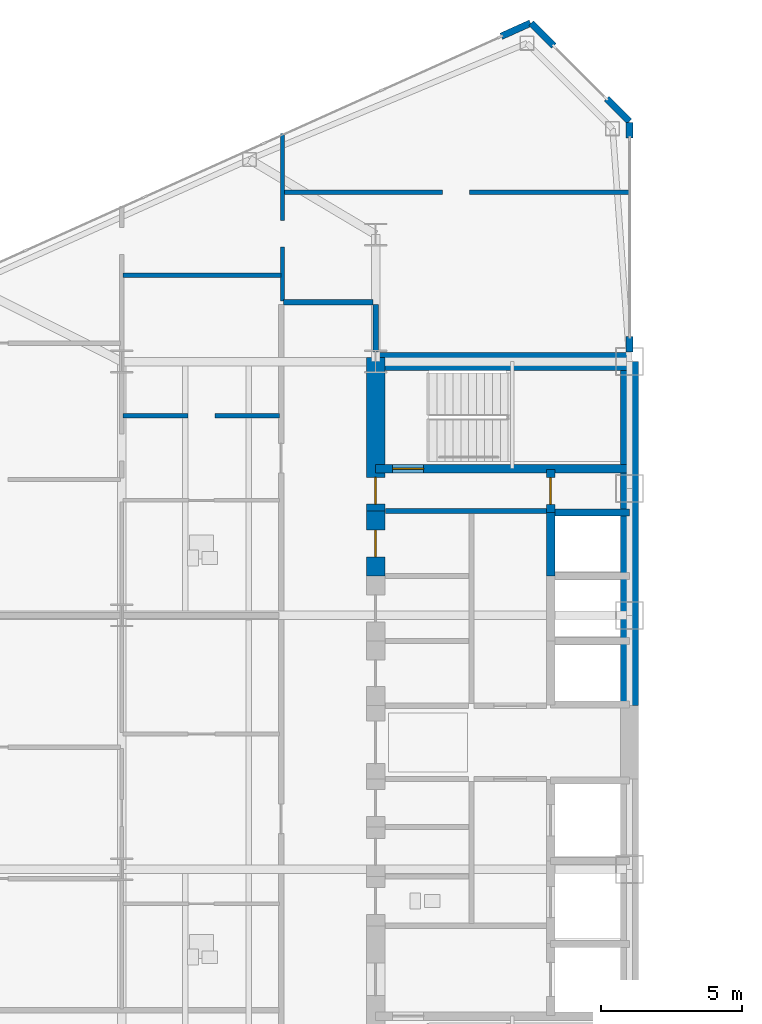
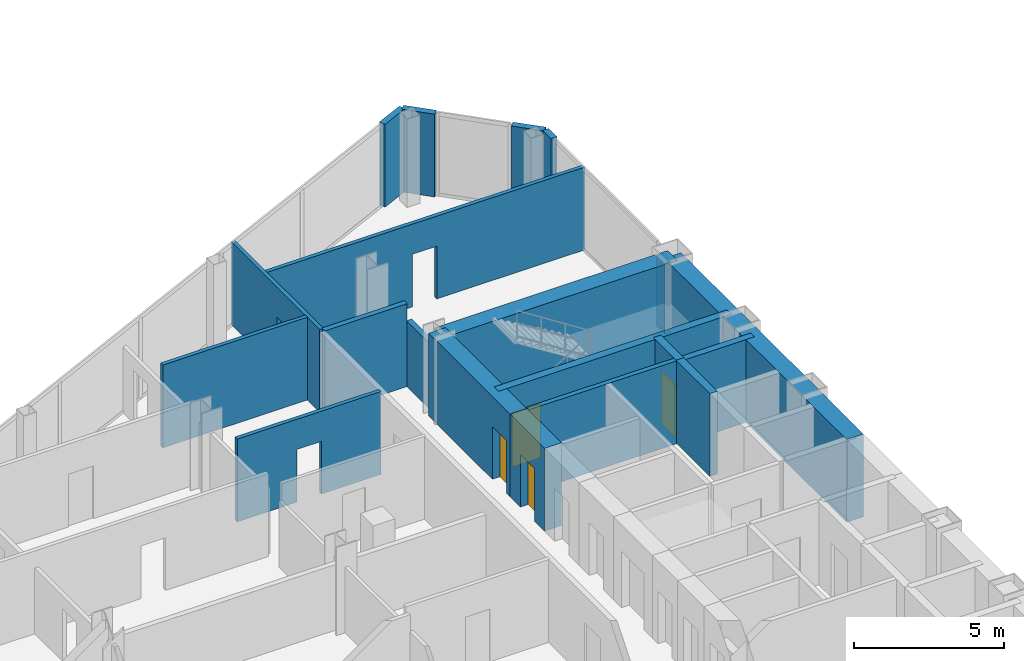
# One storey, part 21 of 27: 20 walls, 4 doors, 7 openings.
"""IFC4 building model written with IfcOpenShell, lengths in metres."""

from ifc_helpers import new_model, si_unit, direction, frame, frame_2d, origin, place, context, subcontext, project, spatial, rectangle, extrude, source, transform, mapped, material, layer, layer_set, type_object, type_shapes, element, fill, save


model = new_model("IFC4")

# Units and contexts
model_context = context("Model", 3, precision=1e-05, world=origin(), true_north=direction((0.0, 1.0)))
body_context = subcontext(model_context, "Body", "Model", "MODEL_VIEW")
ifc_project = project(units=[si_unit("LENGTHUNIT", "METRE"), si_unit("AREAUNIT", "SQUARE_METRE"), si_unit("VOLUMEUNIT", "CUBIC_METRE"), si_unit("PLANEANGLEUNIT", "RADIAN"), si_unit("MASSUNIT", "GRAM", prefix="KILO")], contexts=[model_context])

# Site, building, storey
site_placement = place(None, origin())
site = spatial("IfcSite", under=ifc_project, at=site_placement, CompositionType="ELEMENT")
building_placement = place(site_placement, origin())
building = spatial("IfcBuilding", under=site, at=building_placement, Name="Seokmaru Belvedere", CompositionType="ELEMENT")
storey_placement = place(building_placement, frame((0.0, 0.0, 80.10009765625)))
storey = spatial("IfcBuildingStorey", under=building, at=storey_placement, Name="L21", CompositionType="ELEMENT", Elevation=80.10009765625)

# Wall, opening
ifc_material_1 = material(Name="Fire-Rated Gypsum Shaftwall")
ifc_layer_1 = layer(ifc_material_1, 0.14990234375)
ifc_layer_set_1 = layer_set([ifc_layer_1], Name="Fire-Rated Gypsum Shaftwall")
wall_type_1 = type_object("IfcWallType", Name="Apartment Fire-Acoustic Room Partition 150", PredefinedType="PARTITIONING", material=ifc_layer_set_1)
wall_1_placement = place(storey_placement, frame((-45.449951171875, 11.580078125, 0.0), z_axis=(0.0, 0.0, 1.0), x_axis=(1.0, 0.0, 0.0)))
wall_1 = element("IfcWall", 1, at=wall_1_placement, inside=storey, type_object=wall_type_1, Name="L21 Interior Partition 026", PredefinedType="PARTITIONING", context=body_context, shape_type="SweptSolid", body=[
    extrude(rectangle(XDim=5.550048828125, YDim=0.14990234375, at=frame_2d((2.77490234375, 0.0))), origin(), (0.0, 0.0, 1.0), 3.3798828125),
])
opening_1_placement = place(wall_1_placement, frame((2.300048828125, 0.0, 0.0)))
element("IfcOpeningElement", 2, at=opening_1_placement, cuts=wall_1, Name="L21 Cased Opening 016", PredefinedType="OPENING", context=body_context, shape_type="SweptSolid", body=[
    extrude(rectangle(XDim=0.949951171875, YDim=2.14990234375, at=frame_2d((0.47509765625, 1.074951171875))), frame((0.0, 0.0849609375, 0.0), z_axis=(0.0, -1.0, 0.0), x_axis=(1.0, 0.0, 0.0)), (0.0, 0.0, 1.0), 0.169921875),
])

# Wall
wall_2_placement = place(storey_placement, frame((-45.449951171875, 16.56005859375, 0.0), z_axis=(0.0, 0.0, 1.0), x_axis=(1.0, 0.0, 0.0)))
element("IfcWall", 3, at=wall_2_placement, inside=storey, type_object=wall_type_1, Name="L21 Interior Partition 032", PredefinedType="PARTITIONING", context=body_context, shape_type="SweptSolid", body=[
    extrude(rectangle(XDim=5.599853515625, YDim=0.14990234375, at=frame_2d((2.7998046875, 0.0))), origin(), (0.0, 0.0, 1.0), 3.3798828125),
])

# Wall, opening
wall_3_placement = place(storey_placement, frame((-39.75, 19.5, 0.0), z_axis=(0.0, 0.0, 1.0), x_axis=(1.0, 0.0, 0.0)))
wall_3 = element("IfcWall", 4, at=wall_3_placement, inside=storey, type_object=wall_type_1, Name="L21 Interior Partition 034", PredefinedType="PARTITIONING", context=body_context, shape_type="SweptSolid", body=[
    extrude(rectangle(XDim=12.284912109375, YDim=0.14990234375, at=frame_2d((6.142578125, 0.0))), origin(), (0.0, 0.0, 1.0), 3.3798828125),
])
opening_2_placement = place(wall_3_placement, frame((5.625, 0.0, 0.0)))
element("IfcOpeningElement", 5, at=opening_2_placement, cuts=wall_3, Name="L21 Cased Opening 025", PredefinedType="OPENING", context=body_context, shape_type="SweptSolid", body=[
    extrude(rectangle(XDim=0.949951171875, YDim=2.14990234375, at=frame_2d((0.47509765625, 1.074951171875))), frame((0.0, 0.0849609375, 0.0), z_axis=(0.0, -1.0, 0.0), x_axis=(1.0, 0.0, 0.0)), (0.0, 0.0, 1.0), 0.169921875),
])

wall_4_placement = place(storey_placement, frame((-39.800048828125, 15.64990234375, 0.0), z_axis=(0.0, 0.0, 1.0), x_axis=(0.0, 1.0, 0.0)))
wall_4 = element("IfcWall", 6, at=wall_4_placement, inside=storey, type_object=wall_type_1, Name="L21 Interior Partition 042", PredefinedType="PARTITIONING", context=body_context, shape_type="SweptSolid", body=[
    extrude(rectangle(XDim=5.925048828125, YDim=0.14990234375, at=frame_2d((2.96240234375, 0.0))), origin(), (0.0, 0.0, 1.0), 3.3798828125),
])
opening_3_placement = place(wall_4_placement, frame((1.904296875, 0.0, 0.0)))
element("IfcOpeningElement", 7, at=opening_3_placement, cuts=wall_4, Name="L21 Cased Opening 024", PredefinedType="OPENING", context=body_context, shape_type="SweptSolid", body=[
    extrude(rectangle(XDim=0.949951171875, YDim=2.14990234375, at=frame_2d((0.47509765625, 1.074951171875))), frame((0.0, 0.0849609375, 0.0), z_axis=(0.0, -1.0, 0.0), x_axis=(1.0, 0.0, 0.0)), (0.0, 0.0, 1.0), 0.169921875),
])

# Walls
ifc_layer_2 = layer(ifc_material_1, 0.179931640625)
ifc_layer_set_2 = layer_set([ifc_layer_2], Name="Fire-Rated Gypsum Shaftwall")
wall_type_2 = type_object("IfcWallType", Name="Core Service Fire Partition 180", PredefinedType="PARTITIONING", material=ifc_layer_set_2)
wall_5_placement = place(storey_placement, frame((-36.14990234375, 8.199951171875, 0.0), z_axis=(0.0, 0.0, 1.0), x_axis=(1.0, 0.0, 0.0)))
element("IfcWall", 8, at=wall_5_placement, inside=storey, type_object=wall_type_2, Name="L21 West Smokeproof Vestibule Partition", PredefinedType="PARTITIONING", context=body_context, shape_type="SweptSolid", body=[
    extrude(rectangle(XDim=5.699951171875, YDim=0.179931640625, at=frame_2d((2.85009765625, 0.0))), origin(), (0.0, 0.0, 1.0), 3.3798828125),
])
ifc_material_2 = material(Name="Concrete C50 (50 MPa)", Category="concrete")
ifc_layer_3 = layer(ifc_material_2, 0.25)
ifc_layer_set_3 = layer_set([ifc_layer_3], Name="Concrete C50 (50 MPa)")
wall_type_3 = type_object("IfcWallType", Name="Hoistway Transverse Concrete Divider Wall 250", PredefinedType="SHEAR", material=ifc_layer_set_3)
wall_6_placement = place(storey_placement, frame((-30.300048828125, 8.14990234375, 0.0), z_axis=(0.0, 0.0, 1.0), x_axis=(1.0, 0.0, 0.0)))
element("IfcWall", 9, at=wall_6_placement, inside=storey, type_object=wall_type_3, Name="L21 West Hoistway Divider Core Wall 7", PredefinedType="SHEAR", context=body_context, shape_type="SweptSolid", body=[
    extrude(rectangle(XDim=2.800048828125, YDim=0.25, at=frame_2d((1.39990234375, 0.0))), origin(), (0.0, 0.0, 1.0), 3.3798828125),
])
ifc_layer_4 = layer(ifc_material_1, 0.199951171875)
ifc_layer_set_4 = layer_set([ifc_layer_4], Name="Fire-Rated Gypsum Shaftwall")
wall_type_4 = type_object("IfcWallType", Name="Inter-Tenancy Fire Compartment Partition 200", PredefinedType="PARTITIONING", material=ifc_layer_set_4)
wall_7_placement = place(storey_placement, frame((-39.764892578125, 15.60009765625, 0.0), z_axis=(0.0, 0.0, 1.0), x_axis=(1.0, 0.0, 0.0)))
element("IfcWall", 10, at=wall_7_placement, inside=storey, type_object=wall_type_4, Name="L21 Interior Partition 029", PredefinedType="PARTITIONING", context=body_context, shape_type="SweptSolid", body=[
    extrude(rectangle(XDim=3.179931640625, YDim=0.199951171875, at=frame_2d((1.58984375, 0.0))), origin(), (0.0, 0.0, 1.0), 3.3798828125),
])
wall_8_placement = place(storey_placement, frame((-36.5, 13.830078125, 0.0), z_axis=(0.0, 0.0, 1.0), x_axis=(0.0, 1.0, 0.0)))
element("IfcWall", 11, at=wall_8_placement, inside=storey, type_object=wall_type_4, Name="L21 Interior Partition 044", PredefinedType="PARTITIONING", context=body_context, shape_type="SweptSolid", body=[
    extrude(rectangle(XDim=1.684814453125, YDim=0.199951171875, at=frame_2d((0.84228515625, 0.0))), origin(), (0.0, 0.0, 1.0), 2.679931640625),
])

# Wall, opening, door
ifc_layer_5 = layer(ifc_material_2, 0.300048828125)
ifc_layer_set_5 = layer_set([ifc_layer_5], Name="Concrete C50 (50 MPa)")
wall_type_5 = type_object("IfcWallType", Name="Internal Core Stair and Hoistway Wall 300", PredefinedType="SHEAR", material=ifc_layer_set_5)
wall_9_placement = place(storey_placement, frame((-36.5, 9.699951171875, 0.0), z_axis=(0.0, 0.0, 1.0), x_axis=(1.0, 0.0, 0.0)))
wall_9 = element("IfcWall", 12, at=wall_9_placement, inside=storey, type_object=wall_type_5, Name="L21 West Stair ST-2 Enclosure Wall", PredefinedType="SHEAR", context=body_context, shape_type="SweptSolid", body=[
    extrude(rectangle(XDim=9.0, YDim=0.300048828125, at=frame_2d((4.5, 0.0))), origin(), (0.0, 0.0, 1.0), 3.3798828125),
])
opening_4_placement = place(wall_9_placement, frame((0.60009765625, 0.0, 0.0)))
opening_4 = element("IfcOpeningElement", 13, at=opening_4_placement, cuts=wall_9, Name="Opening D01", PredefinedType="OPENING", context=body_context, shape_type="SweptSolid", body=[
    extrude(rectangle(XDim=1.10009765625, YDim=2.199951171875, at=frame_2d((0.550048828125, 1.10009765625))), frame((0.0, 0.16015625, 0.0), z_axis=(0.0, -1.0, 0.0), x_axis=(1.0, 0.0, 0.0)), (0.0, 0.0, 1.0), 0.320068359375),
])
ifc_material_3 = material(Name="Fire-Rated Steel Leaf", Category="steel")
door_type_1 = type_object("IfcDoorType", Name="Special Escape Stair Smokeproof Fire Door 1100x2200", OperationType="NOTDEFINED", PredefinedType="DOOR", material=ifc_material_3)
shared_shape_1 = source(origin(), body_context, "Body", "SweptSolid", [
    extrude(rectangle(XDim=1.10009765625, YDim=2.199951171875, at=frame_2d((0.550048828125, 1.10009765625))), frame((0.0, 0.02490234375, 0.0), z_axis=(0.0, -1.0, 0.0), x_axis=(1.0, 0.0, 0.0)), (0.0, 0.0, 1.0), 0.050048828125),
])
type_shapes(door_type_1, [shared_shape_1])
door_1_placement = place(opening_4_placement, origin())
door_1 = element("IfcDoor", 14, at=door_1_placement, inside=storey, type_object=door_type_1, Name="L21 West Special Escape Stair ST-2 Door", OperationType="SINGLE_SWING_RIGHT", OverallHeight=2.199951171875, OverallWidth=1.10009765625, PredefinedType="DOOR", context=body_context, shape_type="MappedRepresentation", body=[
    mapped(shared_shape_1, transform((0.0, 0.0, 0.0), scale=1.0)),
])
fill(opening_4, door_1)

# Wall
wall_10_placement = place(storey_placement, frame((-30.300048828125, 5.89990234375, 0.0), z_axis=(0.0, 0.0, 1.0), x_axis=(0.0, 1.0, 0.0)))
element("IfcWall", 15, at=wall_10_placement, inside=storey, type_object=wall_type_5, Name="L21 West North Hoistway Wall OBS", PredefinedType="SHEAR", context=body_context, shape_type="SweptSolid", body=[
    extrude(rectangle(XDim=2.25, YDim=0.300048828125, at=frame_2d((1.125, 0.0))), origin(), (0.0, 0.0, 1.0), 3.3798828125),
])

# Wall, opening, door
wall_11_placement = place(storey_placement, frame((-30.300048828125, 8.14990234375, 0.0), z_axis=(0.0, 0.0, 1.0), x_axis=(0.0, 1.0, 0.0)))
wall_11 = element("IfcWall", 16, at=wall_11_placement, inside=storey, type_object=wall_type_5, Name="L21 West Electrical Riser Front Wall", PredefinedType="SHEAR", context=body_context, shape_type="SweptSolid", body=[
    extrude(rectangle(XDim=1.530029296875, YDim=0.300048828125, at=frame_2d((0.76513671875, 0.0))), origin(), (0.0, 0.0, 1.0), 3.3798828125),
])
opening_5_placement = place(wall_11_placement, frame((0.284912109375, 0.0, 0.0)))
opening_5 = element("IfcOpeningElement", 17, at=opening_5_placement, cuts=wall_11, Name="Opening D04", PredefinedType="OPENING", context=body_context, shape_type="SweptSolid", body=[
    extrude(rectangle(XDim=0.949951171875, YDim=2.14990234375, at=frame_2d((0.47509765625, 1.074951171875))), frame((0.0, 0.16015625, 0.0), z_axis=(0.0, -1.0, 0.0), x_axis=(1.0, 0.0, 0.0)), (0.0, 0.0, 1.0), 0.320068359375),
])
door_type_2 = type_object("IfcDoorType", Name="Core Service Room Fire Door 950x2150", OperationType="NOTDEFINED", PredefinedType="DOOR", material=ifc_material_3)
shared_shape_2 = source(origin(), body_context, "Body", "SweptSolid", [
    extrude(rectangle(XDim=0.949951171875, YDim=2.14990234375, at=frame_2d((0.47509765625, 1.074951171875))), frame((0.0, 0.02490234375, 0.0), z_axis=(0.0, -1.0, 0.0), x_axis=(1.0, 0.0, 0.0)), (0.0, 0.0, 1.0), 0.050048828125),
])
type_shapes(door_type_2, [shared_shape_2])
door_2_placement = place(opening_5_placement, origin())
door_2 = element("IfcDoor", 18, at=door_2_placement, inside=storey, type_object=door_type_2, Name="L21 West Electrical Riser Access Door", OperationType="SINGLE_SWING_LEFT", OverallHeight=2.14990234375, OverallWidth=0.949951171875, PredefinedType="DOOR", context=body_context, shape_type="MappedRepresentation", body=[
    mapped(shared_shape_2, transform((0.0, 0.0, 0.0), scale=1.0)),
])
fill(opening_5, door_2)

# Walls
ifc_material_4 = material(Name="Concrete C60 (60 MPa)", Category="concrete")
ifc_layer_6 = layer(ifc_material_4, 0.64990234375)
ifc_layer_set_6 = layer_set([ifc_layer_6], Name="Concrete C60 (60 MPa)")
wall_type_6 = type_object("IfcWallType", Name="Mid-Low Reinforced Concrete Core Wall 650", PredefinedType="SHEAR", material=ifc_layer_set_6)
wall_12_placement = place(storey_placement, frame((-27.5, 1.300048828125, 0.0), z_axis=(0.0, 0.0, 1.0), x_axis=(0.0, 1.0, 0.0)))
element("IfcWall", 19, at=wall_12_placement, inside=storey, type_object=wall_type_6, Name="L21 West Portal Spine Core Wall North", PredefinedType="SHEAR", context=body_context, shape_type="SweptSolid", body=[
    extrude(rectangle(XDim=12.199951171875, YDim=0.64990234375, at=frame_2d((6.10009765625, 0.0))), origin(), (0.0, 0.0, 1.0), 3.3798828125),
])
wall_13_placement = place(storey_placement, frame((-36.5, 13.5, 0.0), z_axis=(0.0, 0.0, 1.0), x_axis=(1.0, 0.0, 0.0)))
element("IfcWall", 20, at=wall_13_placement, inside=storey, type_object=wall_type_6, Name="L21 West North Core Wall", PredefinedType="SHEAR", context=body_context, shape_type="SweptSolid", body=[
    extrude(rectangle(XDim=9.0, YDim=0.64990234375, at=frame_2d((4.5, 0.0))), origin(), (0.0, 0.0, 1.0), 3.3798828125),
])

# Wall, opening, door
wall_14_placement = place(storey_placement, frame((-36.5, 8.199951171875, 0.0), z_axis=(0.0, 0.0, 1.0), x_axis=(0.0, 1.0, 0.0)))
wall_14 = element("IfcWall", 21, at=wall_14_placement, inside=storey, type_object=wall_type_6, Name="L21 West West Core Wall VST", PredefinedType="SHEAR", context=body_context, shape_type="SweptSolid", body=[
    extrude(rectangle(XDim=5.449951171875, YDim=0.64990234375, at=frame_2d((2.72509765625, 0.0))), origin(), (0.0, 0.0, 1.0), 3.3798828125),
])
opening_6_placement = place(wall_14_placement, frame((0.2451171875, 0.0, 0.0)))
opening_6 = element("IfcOpeningElement", 22, at=opening_6_placement, cuts=wall_14, Name="Opening D04", PredefinedType="OPENING", context=body_context, shape_type="SweptSolid", body=[
    extrude(rectangle(XDim=0.949951171875, YDim=2.14990234375, at=frame_2d((0.47509765625, 1.074951171875))), frame((0.0, 0.3349609375, 0.0), z_axis=(0.0, -1.0, 0.0), x_axis=(1.0, 0.0, 0.0)), (0.0, 0.0, 1.0), 0.669921875),
])
door_3_placement = place(opening_6_placement, frame((0.949951171875, 0.0, 0.0), z_axis=(0.0, 0.0, 1.0), x_axis=(-1.0, 0.0, 0.0)))
door_3 = element("IfcDoor", 23, at=door_3_placement, inside=storey, type_object=door_type_2, Name="L21 West Smokeproof Vestibule Door", OperationType="SINGLE_SWING_RIGHT", OverallHeight=2.14990234375, OverallWidth=0.949951171875, PredefinedType="DOOR", context=body_context, shape_type="MappedRepresentation", body=[
    mapped(shared_shape_2, transform((0.0, 0.0, 0.0), scale=1.0)),
])
fill(opening_6, door_3)

wall_15_placement = place(storey_placement, frame((-36.5, 5.89990234375, 0.0), z_axis=(0.0, 0.0, 1.0), x_axis=(0.0, 1.0, 0.0)))
wall_15 = element("IfcWall", 24, at=wall_15_placement, inside=storey, type_object=wall_type_6, Name="L21 West West Core Wall CS6", PredefinedType="SHEAR", context=body_context, shape_type="SweptSolid", body=[
    extrude(rectangle(XDim=2.300048828125, YDim=0.64990234375, at=frame_2d((1.14990234375, 0.0))), origin(), (0.0, 0.0, 1.0), 3.3798828125),
])
opening_7_placement = place(wall_15_placement, frame((0.675048828125, 0.0, 0.0)))
opening_7 = element("IfcOpeningElement", 25, at=opening_7_placement, cuts=wall_15, Name="Opening D04", PredefinedType="OPENING", context=body_context, shape_type="SweptSolid", body=[
    extrude(rectangle(XDim=0.949951171875, YDim=2.14990234375, at=frame_2d((0.47509765625, 1.074951171875))), frame((0.0, 0.3349609375, 0.0), z_axis=(0.0, -1.0, 0.0), x_axis=(1.0, 0.0, 0.0)), (0.0, 0.0, 1.0), 0.669921875),
])
door_4_placement = place(opening_7_placement, origin())
door_4 = element("IfcDoor", 26, at=door_4_placement, inside=storey, type_object=door_type_2, Name="L21 West Core Service Room Door 6", OperationType="SINGLE_SWING_RIGHT", OverallHeight=2.14990234375, OverallWidth=0.949951171875, PredefinedType="DOOR", context=body_context, shape_type="MappedRepresentation", body=[
    mapped(shared_shape_2, transform((0.0, 0.0, 0.0), scale=1.0)),
])
fill(opening_7, door_4)

# Walls
ifc_material_5 = material(Name="Anodised Bronze Aluminium", Category="aluminium")
ifc_layer_7 = layer(ifc_material_5, 0.239990234375)
ifc_layer_set_7 = layer_set([ifc_layer_7], Name="Anodised Bronze Aluminium")
wall_type_7 = type_object("IfcWallType", Name="Tower Corner Spandrel Closure Wall 240", PredefinedType="SOLIDWALL", material=ifc_layer_set_7)
wall_16_placement = place(storey_placement, frame((-27.5, 13.830078125, 0.0), z_axis=(0.0, 0.0, 1.0), x_axis=(0.0, 1.0, 0.0)))
element("IfcWall", 27, at=wall_16_placement, inside=storey, type_object=wall_type_7, Name="L21 W Spine Closure Pier 2A", PredefinedType="SOLIDWALL", context=body_context, shape_type="SweptSolid", body=[
    extrude(rectangle(XDim=0.5498046875, YDim=0.239990234375, at=frame_2d((0.27490234375, 0.0))), origin(), (0.0, 0.0, 1.0), 2.8798828125),
])
wall_17_placement = place(storey_placement, frame((-27.5, 21.429931640625, 0.0), z_axis=(0.0, 0.0, 1.0), x_axis=(0.0, 1.0, 0.0)))
element("IfcWall", 28, at=wall_17_placement, inside=storey, type_object=wall_type_7, Name="L21 W Spine Closure Pier 2B", PredefinedType="SOLIDWALL", context=body_context, shape_type="SweptSolid", body=[
    extrude(rectangle(XDim=0.550048828125, YDim=0.239990234375, at=frame_2d((0.27490234375, 0.0))), origin(), (0.0, 0.0, 1.0), 3.3798828125),
])
for number, where, z_axis, x_axis, name in (
    (29, (-27.507080078125, 22.007080078125, 0.0), (0.0, 0.0, 1.0), (-0.707106781187, 0.707106781187, 0.0), "L21 W Corner Closure Pier 2A"),
    (30, (-30.186767578125, 24.686767578125, 0.0), (0.0, 0.0, 1.0), (-0.707106781187, 0.707106781187, 0.0), "L21 W Corner Closure Pier 2B"),
):
    element("IfcWall", number, at=place(storey_placement, frame(where, z_axis=z_axis, x_axis=x_axis)), inside=storey, type_object=wall_type_7, Name=name, PredefinedType="SOLIDWALL", context=body_context, shape_type="SweptSolid", body=[
        extrude(rectangle(XDim=1.14013671875, YDim=0.239990234375, at=frame_2d((0.570068359375, 0.0))), origin(), (0.0, 0.0, 1.0), 3.3798828125),
    ])
wall_18_placement = place(storey_placement, frame((-31.009033203125, 25.495849609375, 0.0), z_axis=(0.0, 0.0, 1.0), x_axis=(-0.911929519623, -0.410346866979, 0.0)))
element("IfcWall", 31, at=wall_18_placement, inside=storey, type_object=wall_type_7, Name="L21 W Corner Closure Pier 3A", PredefinedType="SOLIDWALL", context=body_context, shape_type="SweptSolid", body=[
    extrude(rectangle(XDim=1.139892578125, YDim=0.239990234375, at=frame_2d((0.56982421875, 0.0))), origin(), (0.0, 0.0, 1.0), 3.3798828125),
])

save(model, "model.ifc")
